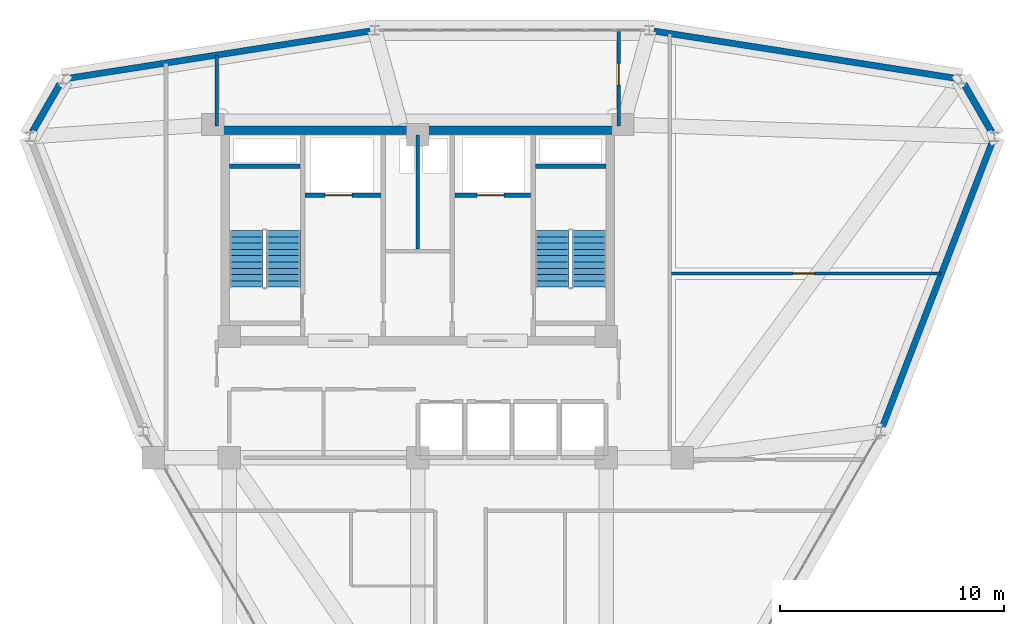
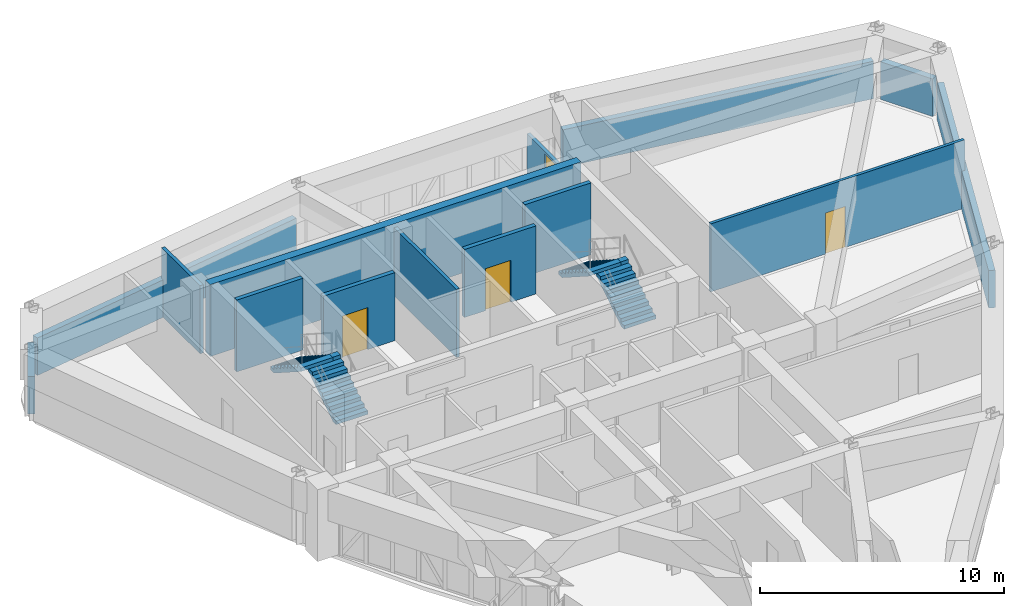
# One storey, part 18 of 19: 14 walls, 4 doors, 4 stair flights, 4 openings, 2 elements without a shape of their own.
"""IFC4 building model written with IfcOpenShell, lengths in metres."""

from ifc_helpers import new_model, si_unit, derived_unit, direction, frame, frame_2d, origin, place, context, subcontext, project, spatial, polyline, rectangle, outline, extrude, material, layer, layer_set, type_object, element, fill, aggregate, save


model = new_model("IFC4")

# Units and contexts
model_context = context("Model", 3, precision=1e-05, world=origin(), true_north=direction((0.0, 1.0)))
body_context = subcontext(model_context, "Body", "Model", "MODEL_VIEW")
ifc_project = project(units=[si_unit("LENGTHUNIT", "METRE"), si_unit("AREAUNIT", "SQUARE_METRE"), si_unit("VOLUMEUNIT", "CUBIC_METRE"), si_unit("PLANEANGLEUNIT", "RADIAN"), si_unit("MASSUNIT", "GRAM", prefix="KILO"), derived_unit("THERMALTRANSMITTANCEUNIT", [(si_unit("POWERUNIT", "WATT"), 1), (si_unit("LENGTHUNIT", "METRE"), -2), (si_unit("THERMODYNAMICTEMPERATUREUNIT", "KELVIN"), -1)])], contexts=[model_context])

# Site, building, storey
site_placement = place(None, origin())
site = spatial("IfcSite", under=ifc_project, at=site_placement, CompositionType="ELEMENT")
building_placement = place(site_placement, origin())
building = spatial("IfcBuilding", under=site, at=building_placement, Name="Korsvarv Bourse and Concert Hall", CompositionType="ELEMENT")
storey_placement = place(building_placement, frame((0.0, 0.0, 223.800048828125)))
storey = spatial("IfcBuildingStorey", under=building, at=storey_placement, Name="L58", CompositionType="ELEMENT", Elevation=223.800048828125)

# Walls
ifc_material_1 = material(Name="Concrete C50/60", Category="concrete")
ifc_layer_1 = layer(ifc_material_1, 0.3798828125)
ifc_layer_set_1 = layer_set([ifc_layer_1], Name="Concrete C50/60")
wall_type_1 = type_object("IfcWallType", Name="WL-CORE-380", PredefinedType="SHEAR", material=ifc_layer_set_1)
wall_1_placement = place(storey_placement, frame((27.219970703125, 46.989990234375, 0.0), z_axis=(0.0, 0.0, 1.0), x_axis=(1.0, 0.0, 0.0)))
element("IfcWall", 1, at=wall_1_placement, inside=storey, type_object=wall_type_1, Name="L58 North Core Shear Wall", PredefinedType="SHEAR", context=body_context, shape_type="SweptSolid", body=[
    extrude(rectangle(XDim=17.56005859375, YDim=0.3798828125, at=frame_2d((8.780029296875, 0.0))), origin(), (0.0, 0.0, 1.0), 3.599853515625),
])
for number, where, z_axis, x_axis, name in (
    (2, (27.610107421875, 45.39990234375, 0.0), (0.0, 0.0, 1.0), (1.0, 0.0, 0.0), "L58 stair shaft structural wall W-L58-ST1-N"),
    (3, (41.25, 45.39990234375, 0.0), (0.0, 0.0, 1.0), (1.0, 0.0, 0.0), "L58 stair shaft structural wall W-L58-ST2-N"),
):
    element("IfcWall", number, at=place(storey_placement, frame(where, z_axis=z_axis, x_axis=x_axis)), inside=storey, type_object=wall_type_1, Name=name, PredefinedType="SHEAR", context=body_context, shape_type="SweptSolid", body=[
        extrude(rectangle(XDim=3.139892578125, YDim=0.199951171875, at=frame_2d((1.56982421875, 0.0))), origin(), (0.0, 0.0, 1.0), 3.599853515625),
    ])
ifc_material_2 = material(Name="Precast concrete C45/55 with terracotta rainscreen", Category="concrete")
ifc_layer_2 = layer(ifc_material_2, 0.300048828125)
ifc_layer_set_2 = layer_set([ifc_layer_2], Name="Precast concrete C45/55 with terracotta rainscreen")
wall_type_2 = type_object("IfcWallType", Name="WL-EXT-TC1", PredefinedType="SOLIDWALL", material=ifc_layer_set_2)
for number, where, z_axis, x_axis, name in (
    (4, (61.583984375, 46.92138671875, 0.0), (0.0, 0.0, 1.0), (-0.499990780478, 0.866030726613, 0.0), "L58 terracotta exterior wall EW-L58-B01"),
    (5, (20.0498046875, 49.05859375, 0.0), (0.0, 0.0, 1.0), (-0.499990780478, -0.866030726613, 0.0), "L58 terracotta exterior wall EW-L58-B05"),
):
    element("IfcWall", number, at=place(storey_placement, frame(where, z_axis=z_axis, x_axis=x_axis)), inside=storey, type_object=wall_type_2, Name=name, PredefinedType="SOLIDWALL", context=body_context, shape_type="SweptSolid", body=[
        extrude(rectangle(XDim=2.4677734375, YDim=0.300048828125, at=frame_2d((1.23388671875, 0.0))), origin(), (0.0, 0.0, 1.0), 1.8798828125),
    ])
ifc_material_3 = material(Name="Precast concrete C45/55 with fluted terracotta pier", Category="concrete")
ifc_layer_3 = layer(ifc_material_3, 0.280029296875)
ifc_layer_set_3 = layer_set([ifc_layer_3], Name="Precast concrete C45/55 with fluted terracotta pier")
wall_type_3 = type_object("IfcWallType", Name="WL-EXT-TC2", PredefinedType="SOLIDWALL", material=ifc_layer_set_3)
for number, where, z_axis, x_axis, name in (
    (6, (60.019287109375, 49.30419921875, 0.0), (0.0, 0.0, 1.0), (-0.987957437721, 0.154725890697, 0.0), "L58 terracotta exterior wall EW-L58-B02"),
    (7, (33.873046875, 51.417236328125, 0.0), (0.0, 0.0, 1.0), (-0.987957437721, -0.154725890697, 0.0), "L58 terracotta exterior wall EW-L58-B04"),
):
    element("IfcWall", number, at=place(storey_placement, frame(where, z_axis=z_axis, x_axis=x_axis)), inside=storey, type_object=wall_type_3, Name=name, PredefinedType="SOLIDWALL", context=body_context, shape_type="SweptSolid", body=[
        extrude(rectangle(XDim=13.65673828125, YDim=0.280029296875, at=frame_2d((6.828369140625, 0.0))), origin(), (0.0, 0.0, 1.0), 1.8798828125),
    ])
wall_2_placement = place(storey_placement, frame((56.7216796875, 33.787109375, 0.0), z_axis=(0.0, 0.0, 1.0), x_axis=(0.359972142588, 0.932963052088, 0.0)))
element("IfcWall", 8, at=wall_2_placement, inside=storey, type_object=wall_type_3, Name="L58 terracotta exterior wall EW-L58-B12", PredefinedType="SOLIDWALL", context=body_context, shape_type="SweptSolid", body=[
    extrude(rectangle(XDim=13.621337890625, YDim=0.280029296875, at=frame_2d((6.810546875, 0.0))), origin(), (0.0, 0.0, 1.0), 1.8798828125),
])

# Wall, opening, door
ifc_material_4 = material(Name="Reinforced concrete blockwork C35/45 fire wall", Category="concrete")
ifc_layer_4 = layer(ifc_material_4, 0.199951171875)
ifc_layer_set_4 = layer_set([ifc_layer_4], Name="Reinforced concrete blockwork C35/45 fire wall")
wall_type_4 = type_object("IfcWallType", Name="WL-INT-EI120", PredefinedType="PARTITIONING", material=ifc_layer_set_4)
wall_3_placement = place(storey_placement, frame((30.969970703125, 44.10009765625, 0.0), z_axis=(0.0, 0.0, 1.0), x_axis=(1.0, 0.0, 0.0)))
wall_3 = element("IfcWall", 9, at=wall_3_placement, inside=storey, type_object=wall_type_4, Name="L58 interior partition wall W-L58-FF1-S", PredefinedType="PARTITIONING", context=body_context, shape_type="SweptSolid", body=[
    extrude(rectangle(XDim=3.380126953125, YDim=0.199951171875, at=frame_2d((1.68994140625, 0.0))), origin(), (0.0, 0.0, 1.0), 3.409912109375),
])
opening_1_placement = place(wall_3_placement, frame((0.89990234375, 0.0, 0.0)))
opening_1 = element("IfcOpeningElement", 10, at=opening_1_placement, cuts=wall_3, Name="Opening LD-1", PredefinedType="OPENING", context=body_context, shape_type="SweptSolid", body=[
    extrude(rectangle(XDim=1.199951171875, YDim=2.10009765625, at=frame_2d((0.60009765625, 1.050048828125))), frame((0.0, 0.10986328125, 0.0), z_axis=(0.0, -1.0, 0.0), x_axis=(1.0, 0.0, 0.0)), (0.0, 0.0, 1.0), 0.219970703125),
])
ifc_material_5 = material(Name="Stainless Steel S355 firefighting lift landing door", Category="steel")
door_type_1 = type_object("IfcDoorType", Name="DR-LIFT-FF", OperationType="DOUBLE_DOOR_SLIDING", PredefinedType="DOOR", material=ifc_material_5)
door_1_placement = place(opening_1_placement, origin())
door_1 = element("IfcDoor", 11, at=door_1_placement, inside=storey, type_object=door_type_1, Name="L58 lift sliding landing door LD-L58-FF1", OperationType="DOUBLE_DOOR_SLIDING", OverallHeight=2.10009765625, OverallWidth=1.199951171875, PredefinedType="DOOR", context=body_context, shape_type="SweptSolid", body=[
    extrude(rectangle(XDim=1.199951171875, YDim=2.10009765625, at=frame_2d((0.60009765625, 1.050048828125))), frame((0.0, 0.02490234375, 0.0), z_axis=(0.0, -1.0, 0.0), x_axis=(1.0, 0.0, 0.0)), (0.0, 0.0, 1.0), 0.050048828125),
])
fill(opening_1, door_1)

wall_4_placement = place(storey_placement, frame((37.64990234375, 44.10009765625, 0.0), z_axis=(0.0, 0.0, 1.0), x_axis=(1.0, 0.0, 0.0)))
wall_4 = element("IfcWall", 12, at=wall_4_placement, inside=storey, type_object=wall_type_4, Name="L58 interior partition wall W-L58-FF2-S", PredefinedType="PARTITIONING", context=body_context, shape_type="SweptSolid", body=[
    extrude(rectangle(XDim=3.380126953125, YDim=0.199951171875, at=frame_2d((1.68994140625, 0.0))), origin(), (0.0, 0.0, 1.0), 3.409912109375),
])
opening_2_placement = place(wall_4_placement, frame((1.0, 0.0, 0.0)))
opening_2 = element("IfcOpeningElement", 13, at=opening_2_placement, cuts=wall_4, Name="Opening LD-1", PredefinedType="OPENING", context=body_context, shape_type="SweptSolid", body=[
    extrude(rectangle(XDim=1.199951171875, YDim=2.10009765625, at=frame_2d((0.60009765625, 1.050048828125))), frame((0.0, 0.10986328125, 0.0), z_axis=(0.0, -1.0, 0.0), x_axis=(1.0, 0.0, 0.0)), (0.0, 0.0, 1.0), 0.219970703125),
])
door_2_placement = place(opening_2_placement, origin())
door_2 = element("IfcDoor", 14, at=door_2_placement, inside=storey, type_object=door_type_1, Name="L58 lift sliding landing door LD-L58-FF2", OperationType="DOUBLE_DOOR_SLIDING", OverallHeight=2.10009765625, OverallWidth=1.199951171875, PredefinedType="DOOR", context=body_context, shape_type="SweptSolid", body=[
    extrude(rectangle(XDim=1.199951171875, YDim=2.10009765625, at=frame_2d((0.60009765625, 1.050048828125))), frame((0.0, 0.02490234375, 0.0), z_axis=(0.0, -1.0, 0.0), x_axis=(1.0, 0.0, 0.0)), (0.0, 0.0, 1.0), 0.050048828125),
])
fill(opening_2, door_2)

# Wall
ifc_material_6 = material(Name="Double-stud fire-rated acoustic partition", Category="gypsum")
ifc_layer_5 = layer(ifc_material_6, 0.159912109375)
ifc_layer_set_5 = layer_set([ifc_layer_5], Name="Double-stud fire-rated acoustic partition")
wall_type_5 = type_object("IfcWallType", Name="WL-INT-EI60", PredefinedType="PARTITIONING", material=ifc_layer_set_5)
wall_5_placement = place(storey_placement, frame((36.0048828125, 41.68994140625, 0.0), z_axis=(0.0, 0.0, 1.0), x_axis=(0.0, 1.0, 0.0)))
element("IfcWall", 15, at=wall_5_placement, inside=storey, type_object=wall_type_5, Name="L58 interior partition wall W-L58-K2", PredefinedType="PARTITIONING", context=body_context, shape_type="SweptSolid", body=[
    extrude(rectangle(XDim=5.10009765625, YDim=0.159912109375, at=frame_2d((2.550048828125, 0.0))), origin(), (0.0, 0.0, 1.0), 3.409912109375),
])

# Wall, opening, door
wall_6_placement = place(storey_placement, frame((44.965087890625, 47.18310546875, 0.0), z_axis=(0.0, 0.0, 1.0), x_axis=(0.0, 1.0, 0.0)))
wall_6 = element("IfcWall", 16, at=wall_6_placement, inside=storey, type_object=wall_type_5, Name="L58 interior partition wall W-L58-TCOR-08", PredefinedType="PARTITIONING", context=body_context, shape_type="SweptSolid", body=[
    extrude(rectangle(XDim=4.246826171875, YDim=0.159912109375, at=frame_2d((2.12353515625, 0.0))), origin(), (0.0, 0.0, 1.0), 2.169921875),
])
opening_3_placement = place(wall_6_placement, frame((1.838134765625, 0.0, 0.0)))
opening_3 = element("IfcOpeningElement", 17, at=opening_3_placement, cuts=wall_6, Name="Opening D-02", PredefinedType="OPENING", context=body_context, shape_type="SweptSolid", body=[
    extrude(rectangle(XDim=0.949951171875, YDim=2.050048828125, at=frame_2d((0.47509765625, 1.02490234375))), frame((0.0, 0.08984375, 0.0), z_axis=(0.0, -1.0, 0.0), x_axis=(1.0, 0.0, 0.0)), (0.0, 0.0, 1.0), 0.179931640625),
])
ifc_material_7 = material(Name="Timber and steel acoustic fire door", Category="wood")
door_type_2 = type_object("IfcDoorType", Name="DR-FD30", OperationType="NOTDEFINED", PredefinedType="DOOR", material=ifc_material_7)
door_3_placement = place(opening_3_placement, origin())
door_3 = element("IfcDoor", 18, at=door_3_placement, inside=storey, type_object=door_type_2, Name="L58 interior door DR-L58-TCOR-PH76", OperationType="SINGLE_SWING_LEFT", OverallHeight=2.050048828125, OverallWidth=0.949951171875, PredefinedType="DOOR", context=body_context, shape_type="SweptSolid", body=[
    extrude(rectangle(XDim=0.949951171875, YDim=2.050048828125, at=frame_2d((0.47509765625, 1.02490234375))), frame((0.0, 0.02490234375, 0.0), z_axis=(0.0, -1.0, 0.0), x_axis=(1.0, 0.0, 0.0)), (0.0, 0.0, 1.0), 0.050048828125),
])
fill(opening_3, door_3)

# Wall
wall_7_placement = place(storey_placement, frame((27.034912109375, 47.179931640625, 0.0), z_axis=(0.0, 0.0, 1.0), x_axis=(0.0, 1.0, 0.0)))
element("IfcWall", 19, at=wall_7_placement, inside=storey, type_object=wall_type_5, Name="L58 interior partition wall W-L58-TCOR-09", PredefinedType="PARTITIONING", context=body_context, shape_type="SweptSolid", body=[
    extrude(rectangle(XDim=3.146484375, YDim=0.159912109375, at=frame_2d((1.5732421875, 0.0))), origin(), (0.0, 0.0, 1.0), 3.409912109375),
])

# Wall, opening, door
ifc_material_8 = material(Name="Insulated steel-stud office acoustic partition", Category="gypsum")
ifc_layer_6 = layer(ifc_material_8, 0.139892578125)
ifc_layer_set_6 = layer_set([ifc_layer_6], Name="Insulated steel-stud office acoustic partition")
wall_type_6 = type_object("IfcWallType", Name="WL-INT-P1", PredefinedType="PARTITIONING", material=ifc_layer_set_6)
wall_8_placement = place(storey_placement, frame((47.306884765625, 40.60498046875, 0.0), z_axis=(0.0, 0.0, 1.0), x_axis=(1.0, 0.0, 0.0)))
wall_8 = element("IfcWall", 20, at=wall_8_placement, inside=storey, type_object=wall_type_6, Name="L58 interior partition wall W-L58-TCOR-10", PredefinedType="PARTITIONING", context=body_context, shape_type="SweptSolid", body=[
    extrude(rectangle(XDim=12.025390625, YDim=0.139892578125, at=frame_2d((6.0126953125, 0.0))), origin(), (0.0, 0.0, 1.0), 3.409912109375),
])
opening_4_placement = place(wall_8_placement, frame((5.430908203125, 0.0, 0.0)))
opening_4 = element("IfcOpeningElement", 21, at=opening_4_placement, cuts=wall_8, Name="Opening D-03", PredefinedType="OPENING", context=body_context, shape_type="SweptSolid", body=[
    extrude(rectangle(XDim=0.949951171875, YDim=2.050048828125, at=frame_2d((0.47509765625, 1.02490234375))), frame((0.0, 0.080078125, 0.0), z_axis=(0.0, -1.0, 0.0), x_axis=(1.0, 0.0, 0.0)), (0.0, 0.0, 1.0), 0.159912109375),
])
ifc_material_9 = material(Name="Nordic oak acoustic office door", Category="wood")
door_type_3 = type_object("IfcDoorType", Name="DR-INT-1", OperationType="NOTDEFINED", PredefinedType="DOOR", material=ifc_material_9)
door_4_placement = place(opening_4_placement, origin())
door_4 = element("IfcDoor", 22, at=door_4_placement, inside=storey, type_object=door_type_3, Name="L58 interior door DR-L58-TCOR-PH82", OperationType="SINGLE_SWING_RIGHT", OverallHeight=2.050048828125, OverallWidth=0.949951171875, PredefinedType="DOOR", context=body_context, shape_type="SweptSolid", body=[
    extrude(rectangle(XDim=0.949951171875, YDim=2.050048828125, at=frame_2d((0.47509765625, 1.02490234375))), frame((0.0, 0.02490234375, 0.0), z_axis=(0.0, -1.0, 0.0), x_axis=(1.0, 0.0, 0.0)), (0.0, 0.0, 1.0), 0.050048828125),
])
fill(opening_4, door_4)

# Stair, stair flights
ifc_material_10 = material(Name="Precast concrete C45/55", Category="concrete")
stair_type = type_object("IfcStairType", Name="STR-TYPE-04", PredefinedType="HALF_TURN_STAIR", material=ifc_material_10)
stair_1_placement = place(storey_placement, origin())
stair_1 = element("IfcStair", 23, at=stair_1_placement, inside=storey, type_object=stair_type, Name="L58 Tower West Exit Stair ST-T1", PredefinedType="HALF_TURN_STAIR")
stair_flight_type = type_object("IfcStairFlightType", Name="FLT-TYPE-04", PredefinedType="STRAIGHT", material=ifc_material_10)
stair_flight_1_placement = place(storey_placement, frame((30.010009765625, 40.0, 0.0), z_axis=(0.0, 0.0, 1.0), x_axis=(0.0, 1.0, 0.0)))
stair_flight_1 = element("IfcStairFlight", 24, at=stair_flight_1_placement, type_object=stair_flight_type, Name="ST-T1 flight 1", NumberOfRisers=10, NumberOfTreads=9, PredefinedType="STRAIGHT", RiserHeight=0.18, TreadLength=0.28, context=body_context, shape_type="SweptSolid", body=[
    extrude(outline(polyline([(0.0, 0.0), (0.0, 0.179931640625), (0.280029296875, 0.179931640625), (0.280029296875, 0.360107421875), (0.56005859375, 0.360107421875), (0.56005859375, 0.5400390625), (0.840087890625, 0.5400390625), (0.840087890625, 0.719970703125), (1.1201171875, 0.719970703125), (1.1201171875, 0.89990234375), (1.39990234375, 0.89990234375), (1.39990234375, 1.080078125), (1.679931640625, 1.080078125), (1.679931640625, 1.260009765625), (1.9599609375, 1.260009765625), (1.9599609375, 1.43994140625), (2.239990234375, 1.43994140625), (2.239990234375, 1.6201171875), (2.52001953125, 1.6201171875), (2.52001953125, 1.800048828125), (2.52001953125, 1.44189453125), (0.277099609375, 0.0), (0.0, 0.0)])), frame((0.0, 0.75, 0.0), z_axis=(0.0, -1.0, 0.0), x_axis=(1.0, 0.0, 0.0)), (0.0, 0.0, 1.0), 1.5),
])
stair_flight_2_placement = place(storey_placement, frame((28.35009765625, 42.52001953125, 1.800048828125), z_axis=(0.0, 0.0, 1.0), x_axis=(0.0, -1.0, 0.0)))
stair_flight_2 = element("IfcStairFlight", 25, at=stair_flight_2_placement, type_object=stair_flight_type, Name="ST-T1 flight 2", NumberOfRisers=10, NumberOfTreads=9, PredefinedType="STRAIGHT", RiserHeight=0.18, TreadLength=0.28, context=body_context, shape_type="SweptSolid", body=[
    extrude(outline(polyline([(0.0, 0.0), (0.0, 0.179931640625), (0.280029296875, 0.179931640625), (0.280029296875, 0.360107421875), (0.56005859375, 0.360107421875), (0.56005859375, 0.5400390625), (0.840087890625, 0.5400390625), (0.840087890625, 0.719970703125), (1.1201171875, 0.719970703125), (1.1201171875, 0.89990234375), (1.39990234375, 0.89990234375), (1.39990234375, 1.080078125), (1.679931640625, 1.080078125), (1.679931640625, 1.260009765625), (1.9599609375, 1.260009765625), (1.9599609375, 1.43994140625), (2.239990234375, 1.43994140625), (2.239990234375, 1.6201171875), (2.52001953125, 1.6201171875), (2.52001953125, 1.800048828125), (2.52001953125, 1.44189453125), (0.277099609375, 0.0), (0.0, 0.0)])), frame((0.0, 0.75, 0.0), z_axis=(0.0, -1.0, 0.0), x_axis=(1.0, 0.0, 0.0)), (0.0, 0.0, 1.0), 1.5),
])
aggregate(stair_1, [stair_flight_1, stair_flight_2])

stair_2_placement = place(storey_placement, origin())
stair_2 = element("IfcStair", 26, at=stair_2_placement, inside=storey, type_object=stair_type, Name="L58 Tower East Exit Stair ST-T2", PredefinedType="HALF_TURN_STAIR")
stair_flight_3_placement = place(storey_placement, frame((43.64990234375, 40.0, 0.0), z_axis=(0.0, 0.0, 1.0), x_axis=(0.0, 1.0, 0.0)))
stair_flight_3 = element("IfcStairFlight", 27, at=stair_flight_3_placement, type_object=stair_flight_type, Name="ST-T2 flight 1", NumberOfRisers=10, NumberOfTreads=9, PredefinedType="STRAIGHT", RiserHeight=0.18, TreadLength=0.28, context=body_context, shape_type="SweptSolid", body=[
    extrude(outline(polyline([(0.0, 0.0), (0.0, 0.179931640625), (0.280029296875, 0.179931640625), (0.280029296875, 0.360107421875), (0.56005859375, 0.360107421875), (0.56005859375, 0.5400390625), (0.840087890625, 0.5400390625), (0.840087890625, 0.719970703125), (1.1201171875, 0.719970703125), (1.1201171875, 0.89990234375), (1.39990234375, 0.89990234375), (1.39990234375, 1.080078125), (1.679931640625, 1.080078125), (1.679931640625, 1.260009765625), (1.9599609375, 1.260009765625), (1.9599609375, 1.43994140625), (2.239990234375, 1.43994140625), (2.239990234375, 1.6201171875), (2.52001953125, 1.6201171875), (2.52001953125, 1.800048828125), (2.52001953125, 1.44189453125), (0.277099609375, 0.0), (0.0, 0.0)])), frame((0.0, 0.75, 0.0), z_axis=(0.0, -1.0, 0.0), x_axis=(1.0, 0.0, 0.0)), (0.0, 0.0, 1.0), 1.5),
])
stair_flight_4_placement = place(storey_placement, frame((41.989990234375, 42.52001953125, 1.800048828125), z_axis=(0.0, 0.0, 1.0), x_axis=(0.0, -1.0, 0.0)))
stair_flight_4 = element("IfcStairFlight", 28, at=stair_flight_4_placement, type_object=stair_flight_type, Name="ST-T2 flight 2", NumberOfRisers=10, NumberOfTreads=9, PredefinedType="STRAIGHT", RiserHeight=0.18, TreadLength=0.28, context=body_context, shape_type="SweptSolid", body=[
    extrude(outline(polyline([(0.0, 0.0), (0.0, 0.179931640625), (0.280029296875, 0.179931640625), (0.280029296875, 0.360107421875), (0.56005859375, 0.360107421875), (0.56005859375, 0.5400390625), (0.840087890625, 0.5400390625), (0.840087890625, 0.719970703125), (1.1201171875, 0.719970703125), (1.1201171875, 0.89990234375), (1.39990234375, 0.89990234375), (1.39990234375, 1.080078125), (1.679931640625, 1.080078125), (1.679931640625, 1.260009765625), (1.9599609375, 1.260009765625), (1.9599609375, 1.43994140625), (2.239990234375, 1.43994140625), (2.239990234375, 1.6201171875), (2.52001953125, 1.6201171875), (2.52001953125, 1.800048828125), (2.52001953125, 1.44189453125), (0.277099609375, 0.0), (0.0, 0.0)])), frame((0.0, 0.75, 0.0), z_axis=(0.0, -1.0, 0.0), x_axis=(1.0, 0.0, 0.0)), (0.0, 0.0, 1.0), 1.5),
])
aggregate(stair_2, [stair_flight_3, stair_flight_4])

save(model, "model.ifc")
